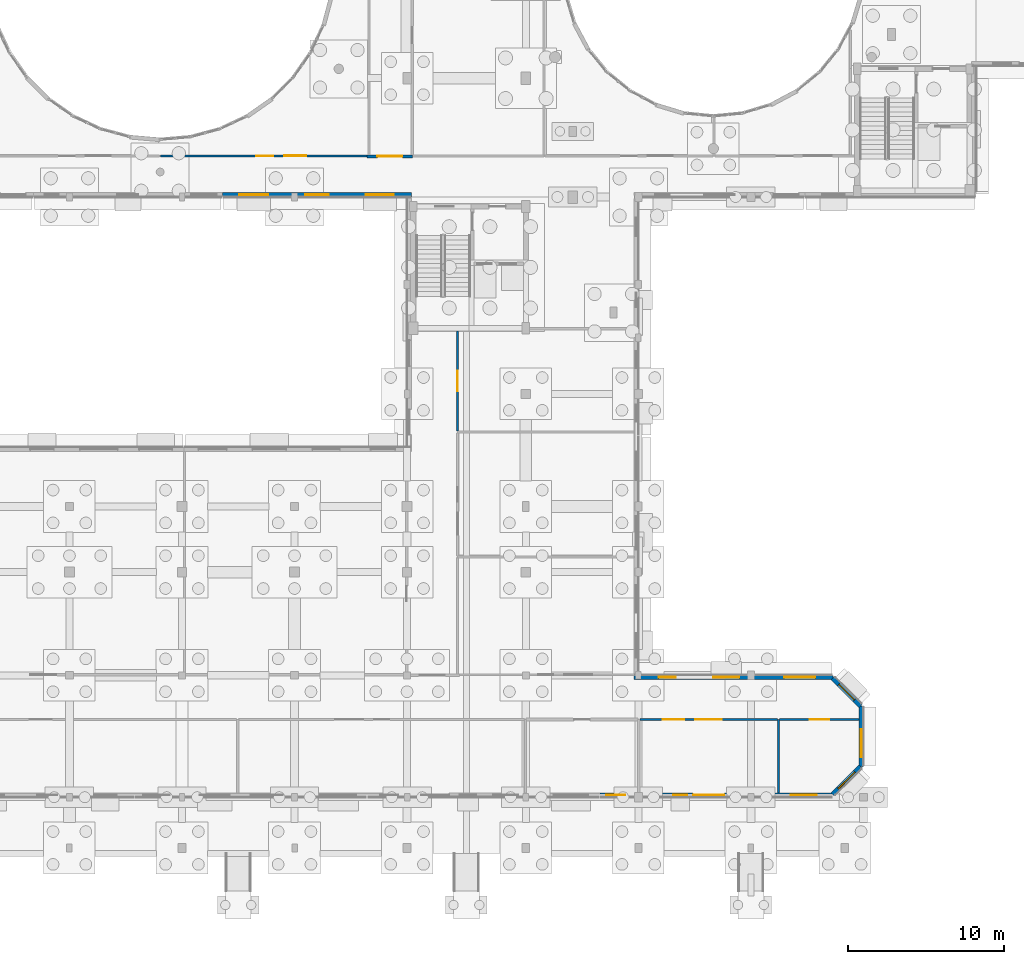
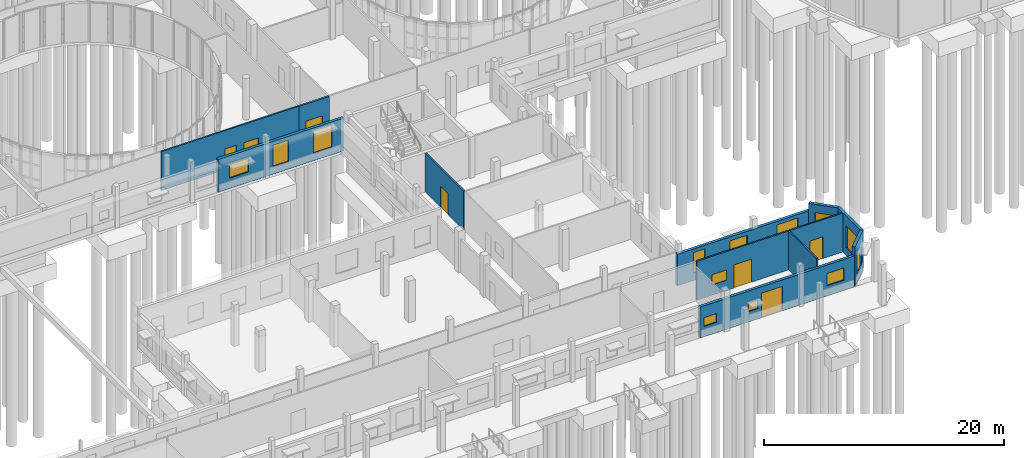
# One storey, part 66 of 93: 14 windows, 12 walls, 6 doors, 20 openings.
"""IFC4 building model written with IfcOpenShell, lengths in metres."""

from ifc_helpers import new_model, si_unit, direction, frame, frame_2d, origin, place, context, subcontext, project, spatial, rectangle, extrude, material, layer, layer_set, type_object, element, fill, save


model = new_model("IFC4")

# Units and contexts
model_context = context("Model", 3, precision=1e-05, world=origin(), true_north=direction((0.0, 1.0)))
body_context = subcontext(model_context, "Body", "Model", "MODEL_VIEW")
ifc_project = project(units=[si_unit("LENGTHUNIT", "METRE"), si_unit("AREAUNIT", "SQUARE_METRE"), si_unit("VOLUMEUNIT", "CUBIC_METRE"), si_unit("PLANEANGLEUNIT", "RADIAN"), si_unit("MASSUNIT", "GRAM", prefix="KILO")], contexts=[model_context])

# Site, building, storey
site_placement = place(None, origin())
site = spatial("IfcSite", under=ifc_project, at=site_placement, CompositionType="ELEMENT")
building_placement = place(site_placement, origin())
building = spatial("IfcBuilding", under=site, at=building_placement, Name="Kelanivale Promenade Academy", CompositionType="ELEMENT")
storey_placement = place(building_placement, origin())
storey = spatial("IfcBuildingStorey", under=building, at=storey_placement, Name="L00", CompositionType="ELEMENT", Elevation=0.0)

# Wall, opening, window
ifc_material_1 = material(Name="Insulated ivory stucco masonry wall 280 mm", Category="masonry")
ifc_layer_1 = layer(ifc_material_1, 0.280029296875)
ifc_layer_set_1 = layer_set([ifc_layer_1], Name="Insulated ivory stucco masonry wall 280 mm")
wall_type_1 = type_object("IfcWallType", Name="EW-02 Wall 280mm", PredefinedType="SOLIDWALL", material=ifc_layer_set_1)
wall_1_placement = place(storey_placement, frame((106.431884765625, 3.783935546875, 0.0), z_axis=(0.0, 0.0, 1.0), x_axis=(0.707106781187, 0.707106781187, 0.0)))
wall_1 = element("IfcWall", 1, at=wall_1_placement, inside=storey, type_object=wall_type_1, Name="L00 exterior facade wall EW-L00-ORT-0283", PredefinedType="SOLIDWALL", context=body_context, shape_type="SweptSolid", body=[
    extrude(rectangle(XDim=2.523193359375, YDim=0.280029296875, at=frame_2d((1.26171875, 0.0))), origin(), (0.0, 0.0, 1.0), 3.97998046875),
])
opening_1_placement = place(wall_1_placement, frame((0.510986328125, 0.0, 0.75)))
opening_1 = element("IfcOpeningElement", 2, at=opening_1_placement, cuts=wall_1, Name="Opening WT-11", PredefinedType="OPENING", context=body_context, shape_type="SweptSolid", body=[
    extrude(rectangle(XDim=1.5, YDim=2.199951171875, at=frame_2d((0.75, 1.10009765625))), frame((0.0, 0.14990234375, 0.0), z_axis=(0.0, -1.0, 0.0), x_axis=(1.0, 0.0, 0.0)), (0.0, 0.0, 1.0), 0.300048828125),
])
ifc_material_2 = material(Name="Bronze anodised aluminium frame with low-E laminated glass", Category="aluminium")
window_type_1 = type_object("IfcWindowType", Name="WT-11 Window 1500x2200", PartitioningType="SINGLE_PANEL", PredefinedType="WINDOW", material=ifc_material_2)
window_1_placement = place(opening_1_placement, origin())
window_1 = element("IfcWindow", 3, at=window_1_placement, inside=storey, type_object=window_type_1, Name="Window WT-11", OverallHeight=2.199951171875, OverallWidth=1.5, PartitioningType="SINGLE_PANEL", PredefinedType="WINDOW", context=body_context, shape_type="SweptSolid", body=[
    extrude(rectangle(XDim=1.5, YDim=2.199951171875, at=frame_2d((0.75, 1.10009765625))), frame((0.0, 0.030029296875, 0.0), z_axis=(0.0, -1.0, 0.0), x_axis=(1.0, 0.0, 0.0)), (0.0, 0.0, 1.0), 0.06005859375),
])
fill(opening_1, window_1)

wall_2_placement = place(storey_placement, frame((108.260009765625, 5.555908203125, 0.0), z_axis=(0.0, 0.0, 1.0), x_axis=(0.0, 1.0, 0.0)))
wall_2 = element("IfcWall", 4, at=wall_2_placement, inside=storey, type_object=wall_type_1, Name="L00 exterior facade wall EW-L00-ORT-0284", PredefinedType="SOLIDWALL", context=body_context, shape_type="SweptSolid", body=[
    extrude(rectangle(XDim=3.88818359375, YDim=0.280029296875, at=frame_2d((1.944091796875, 0.0))), origin(), (0.0, 0.0, 1.0), 3.97998046875),
])
opening_2_placement = place(wall_2_placement, frame((0.593994140625, 0.0, 0.75)))
opening_2 = element("IfcOpeningElement", 5, at=opening_2_placement, cuts=wall_2, Name="Opening WT-12", PredefinedType="OPENING", context=body_context, shape_type="SweptSolid", body=[
    extrude(rectangle(XDim=1.800048828125, YDim=2.25, at=frame_2d((0.89990234375, 1.125))), frame((0.0, 0.14990234375, 0.0), z_axis=(0.0, -1.0, 0.0), x_axis=(1.0, 0.0, 0.0)), (0.0, 0.0, 1.0), 0.300048828125),
])
window_type_2 = type_object("IfcWindowType", Name="WT-12 Window 1800x2250", PartitioningType="SINGLE_PANEL", PredefinedType="WINDOW", material=ifc_material_2)
window_2_placement = place(opening_2_placement, origin())
window_2 = element("IfcWindow", 6, at=window_2_placement, inside=storey, type_object=window_type_2, Name="Window WT-12", OverallHeight=2.25, OverallWidth=1.800048828125, PartitioningType="SINGLE_PANEL", PredefinedType="WINDOW", context=body_context, shape_type="SweptSolid", body=[
    extrude(rectangle(XDim=1.800048828125, YDim=2.25, at=frame_2d((0.89990234375, 1.125))), frame((0.0, 0.030029296875, 0.0), z_axis=(0.0, -1.0, 0.0), x_axis=(1.0, 0.0, 0.0)), (0.0, 0.0, 1.0), 0.06005859375),
])
fill(opening_2, window_2)

wall_3_placement = place(storey_placement, frame((108.216064453125, 9.431884765625, 0.0), z_axis=(0.0, 0.0, 1.0), x_axis=(-0.707106781187, 0.707106781187, 0.0)))
wall_3 = element("IfcWall", 7, at=wall_3_placement, inside=storey, type_object=wall_type_1, Name="L00 exterior facade wall EW-L00-ORT-0285", PredefinedType="SOLIDWALL", context=body_context, shape_type="SweptSolid", body=[
    extrude(rectangle(XDim=2.523193359375, YDim=0.280029296875, at=frame_2d((1.26171875, 0.0))), origin(), (0.0, 0.0, 1.0), 3.97998046875),
])
opening_3_placement = place(wall_3_placement, frame((0.56103515625, 0.0, 0.75)))
opening_3 = element("IfcOpeningElement", 8, at=opening_3_placement, cuts=wall_3, Name="Opening WT-13", PredefinedType="OPENING", context=body_context, shape_type="SweptSolid", body=[
    extrude(rectangle(XDim=1.39990234375, YDim=2.39990234375, at=frame_2d((0.699951171875, 1.199951171875))), frame((0.0, 0.14990234375, 0.0), z_axis=(0.0, -1.0, 0.0), x_axis=(1.0, 0.0, 0.0)), (0.0, 0.0, 1.0), 0.300048828125),
])
window_type_3 = type_object("IfcWindowType", Name="WT-13 Window 1400x2400", PartitioningType="SINGLE_PANEL", PredefinedType="WINDOW", material=ifc_material_2)
window_3_placement = place(opening_3_placement, origin())
window_3 = element("IfcWindow", 9, at=window_3_placement, inside=storey, type_object=window_type_3, Name="Window WT-13", OverallHeight=2.39990234375, OverallWidth=1.39990234375, PartitioningType="SINGLE_PANEL", PredefinedType="WINDOW", context=body_context, shape_type="SweptSolid", body=[
    extrude(rectangle(XDim=1.39990234375, YDim=2.39990234375, at=frame_2d((0.699951171875, 1.199951171875))), frame((0.0, 0.030029296875, 0.0), z_axis=(0.0, -1.0, 0.0), x_axis=(1.0, 0.0, 0.0)), (0.0, 0.0, 1.0), 0.06005859375),
])
fill(opening_3, window_3)

# Wall, openings, windows
wall_4_placement = place(storey_placement, frame((106.444091796875, 11.260009765625, 0.0), z_axis=(0.0, 0.0, 1.0), x_axis=(-1.0, 0.0, 0.0)))
wall_4 = element("IfcWall", 10, at=wall_4_placement, inside=storey, type_object=wall_type_1, Name="L00 exterior facade wall EW-L00-ORT-0286", PredefinedType="SOLIDWALL", context=body_context, shape_type="SweptSolid", body=[
    extrude(rectangle(XDim=12.72412109375, YDim=0.280029296875, at=frame_2d((6.362060546875, 0.0))), origin(), (0.0, 0.0, 1.0), 3.205078125),
])
opening_4_placement = place(wall_4_placement, frame((1.12109375, 0.0, 0.75)))
opening_4 = element("IfcOpeningElement", 11, at=opening_4_placement, cuts=wall_4, Name="Opening WT-14", PredefinedType="OPENING", context=body_context, shape_type="SweptSolid", body=[
    extrude(rectangle(XDim=2.0, YDim=2.10009765625, at=frame_2d((1.0, 1.050048828125))), frame((0.0, 0.14990234375, 0.0), z_axis=(0.0, -1.0, 0.0), x_axis=(1.0, 0.0, 0.0)), (0.0, 0.0, 1.0), 0.300048828125),
])
opening_5_placement = place(wall_4_placement, frame((5.987060546875, 0.0, 0.85009765625)))
opening_5 = element("IfcOpeningElement", 12, at=opening_5_placement, cuts=wall_4, Name="Opening WT-16", PredefinedType="OPENING", context=body_context, shape_type="SweptSolid", body=[
    extrude(rectangle(XDim=1.64990234375, YDim=1.949951171875, at=frame_2d((0.824951171875, 0.97509765625))), frame((0.0, 0.14990234375, 0.0), z_axis=(0.0, -1.0, 0.0), x_axis=(1.0, 0.0, 0.0)), (0.0, 0.0, 1.0), 0.300048828125),
])
opening_6_placement = place(wall_4_placement, frame((10.052978515625, 0.0, 0.75)))
opening_6 = element("IfcOpeningElement", 13, at=opening_6_placement, cuts=wall_4, Name="Opening WT-17", PredefinedType="OPENING", context=body_context, shape_type="SweptSolid", body=[
    extrude(rectangle(XDim=1.10009765625, YDim=2.10009765625, at=frame_2d((0.550048828125, 1.050048828125))), frame((0.0, 0.14990234375, 0.0), z_axis=(0.0, -1.0, 0.0), x_axis=(1.0, 0.0, 0.0)), (0.0, 0.0, 1.0), 0.300048828125),
])
window_type_4 = type_object("IfcWindowType", Name="WT-14 Window 2000x2100", PartitioningType="SINGLE_PANEL", PredefinedType="WINDOW", material=ifc_material_2)
window_4_placement = place(opening_4_placement, origin())
window_4 = element("IfcWindow", 14, at=window_4_placement, inside=storey, type_object=window_type_4, Name="Window WT-14", OverallHeight=2.10009765625, OverallWidth=2.0, PartitioningType="SINGLE_PANEL", PredefinedType="WINDOW", context=body_context, shape_type="SweptSolid", body=[
    extrude(rectangle(XDim=2.0, YDim=2.10009765625, at=frame_2d((1.0, 1.050048828125))), frame((0.0, 0.030029296875, 0.0), z_axis=(0.0, -1.0, 0.0), x_axis=(1.0, 0.0, 0.0)), (0.0, 0.0, 1.0), 0.06005859375),
])
fill(opening_4, window_4)
window_type_5 = type_object("IfcWindowType", Name="WT-16 Window 1650x1950", PartitioningType="SINGLE_PANEL", PredefinedType="WINDOW", material=ifc_material_2)
window_5_placement = place(opening_5_placement, origin())
window_5 = element("IfcWindow", 15, at=window_5_placement, inside=storey, type_object=window_type_5, Name="Window WT-16", OverallHeight=1.949951171875, OverallWidth=1.64990234375, PartitioningType="SINGLE_PANEL", PredefinedType="WINDOW", context=body_context, shape_type="SweptSolid", body=[
    extrude(rectangle(XDim=1.64990234375, YDim=1.949951171875, at=frame_2d((0.824951171875, 0.97509765625))), frame((0.0, 0.030029296875, 0.0), z_axis=(0.0, -1.0, 0.0), x_axis=(1.0, 0.0, 0.0)), (0.0, 0.0, 1.0), 0.06005859375),
])
fill(opening_5, window_5)
window_type_6 = type_object("IfcWindowType", Name="WT-17 Window 1100x2100", PartitioningType="SINGLE_PANEL", PredefinedType="WINDOW", material=ifc_material_2)
window_6_placement = place(opening_6_placement, origin())
window_6 = element("IfcWindow", 16, at=window_6_placement, inside=storey, type_object=window_type_6, Name="Window WT-17", OverallHeight=2.10009765625, OverallWidth=1.10009765625, PartitioningType="SINGLE_PANEL", PredefinedType="WINDOW", context=body_context, shape_type="SweptSolid", body=[
    extrude(rectangle(XDim=1.10009765625, YDim=2.10009765625, at=frame_2d((0.550048828125, 1.050048828125))), frame((0.0, 0.030029296875, 0.0), z_axis=(0.0, -1.0, 0.0), x_axis=(1.0, 0.0, 0.0)), (0.0, 0.0, 1.0), 0.06005859375),
])
fill(opening_6, window_6)

wall_5_placement = place(storey_placement, frame((67.386962890625, 42.139892578125, 0.0), z_axis=(0.0, 0.0, 1.0), x_axis=(1.0, 0.0, 0.0)))
wall_5 = element("IfcWall", 17, at=wall_5_placement, inside=storey, type_object=wall_type_1, Name="L00 exterior facade wall EW-L00-ORT-0321", PredefinedType="SOLIDWALL", context=body_context, shape_type="SweptSolid", body=[
    extrude(rectangle(XDim=12.093017578125, YDim=0.280029296875, at=frame_2d((6.04638671875, 0.0))), origin(), (0.0, 0.0, 1.0), 3.324951171875),
])
opening_7_placement = place(wall_5_placement, frame((1.091064453125, 0.0, 1.050048828125)))
opening_7 = element("IfcOpeningElement", 18, at=opening_7_placement, cuts=wall_5, Name="Opening WT-36", PredefinedType="OPENING", context=body_context, shape_type="SweptSolid", body=[
    extrude(rectangle(XDim=1.85009765625, YDim=1.39990234375, at=frame_2d((0.925048828125, 0.699951171875))), frame((0.0, 0.14990234375, 0.0), z_axis=(0.0, -1.0, 0.0), x_axis=(1.0, 0.0, 0.0)), (0.0, 0.0, 1.0), 0.300048828125),
])
opening_8_placement = place(wall_5_placement, frame((5.297119140625, 0.0, 0.75)))
opening_8 = element("IfcOpeningElement", 19, at=opening_8_placement, cuts=wall_5, Name="Opening WT-11", PredefinedType="OPENING", context=body_context, shape_type="SweptSolid", body=[
    extrude(rectangle(XDim=1.5, YDim=2.199951171875, at=frame_2d((0.75, 1.10009765625))), frame((0.0, 0.14990234375, 0.0), z_axis=(0.0, -1.0, 0.0), x_axis=(1.0, 0.0, 0.0)), (0.0, 0.0, 1.0), 0.300048828125),
])
opening_9_placement = place(wall_5_placement, frame((9.177978515625, 0.0, 0.75)))
opening_9 = element("IfcOpeningElement", 20, at=opening_9_placement, cuts=wall_5, Name="Opening WT-12", PredefinedType="OPENING", context=body_context, shape_type="SweptSolid", body=[
    extrude(rectangle(XDim=1.800048828125, YDim=2.25, at=frame_2d((0.89990234375, 1.125))), frame((0.0, 0.14990234375, 0.0), z_axis=(0.0, -1.0, 0.0), x_axis=(1.0, 0.0, 0.0)), (0.0, 0.0, 1.0), 0.300048828125),
])
window_7_placement = place(opening_8_placement, origin())
window_7 = element("IfcWindow", 21, at=window_7_placement, inside=storey, type_object=window_type_1, Name="Window WT-11", OverallHeight=2.199951171875, OverallWidth=1.5, PartitioningType="SINGLE_PANEL", PredefinedType="WINDOW", context=body_context, shape_type="SweptSolid", body=[
    extrude(rectangle(XDim=1.5, YDim=2.199951171875, at=frame_2d((0.75, 1.10009765625))), frame((0.0, 0.030029296875, 0.0), z_axis=(0.0, -1.0, 0.0), x_axis=(1.0, 0.0, 0.0)), (0.0, 0.0, 1.0), 0.06005859375),
])
fill(opening_8, window_7)
window_8_placement = place(opening_9_placement, origin())
window_8 = element("IfcWindow", 22, at=window_8_placement, inside=storey, type_object=window_type_2, Name="Window WT-12", OverallHeight=2.25, OverallWidth=1.800048828125, PartitioningType="SINGLE_PANEL", PredefinedType="WINDOW", context=body_context, shape_type="SweptSolid", body=[
    extrude(rectangle(XDim=1.800048828125, YDim=2.25, at=frame_2d((0.89990234375, 1.125))), frame((0.0, 0.030029296875, 0.0), z_axis=(0.0, -1.0, 0.0), x_axis=(1.0, 0.0, 0.0)), (0.0, 0.0, 1.0), 0.06005859375),
])
fill(opening_9, window_8)
window_type_7 = type_object("IfcWindowType", Name="WT-36 Window 1850x1400", PartitioningType="SINGLE_PANEL", PredefinedType="WINDOW", material=ifc_material_2)
window_9_placement = place(opening_7_placement, origin())
window_9 = element("IfcWindow", 23, at=window_9_placement, inside=storey, type_object=window_type_7, Name="Window WT-36", OverallHeight=1.39990234375, OverallWidth=1.85009765625, PartitioningType="SINGLE_PANEL", PredefinedType="WINDOW", context=body_context, shape_type="SweptSolid", body=[
    extrude(rectangle(XDim=1.85009765625, YDim=1.39990234375, at=frame_2d((0.925048828125, 0.699951171875))), frame((0.0, 0.030029296875, 0.0), z_axis=(0.0, -1.0, 0.0), x_axis=(1.0, 0.0, 0.0)), (0.0, 0.0, 1.0), 0.06005859375),
])
fill(opening_7, window_9)

# Wall, openings, door, windows
ifc_material_3 = material(Name="Insulated granite-faced masonry wall 260 mm", Category="masonry")
ifc_layer_2 = layer(ifc_material_3, 0.260009765625)
ifc_layer_set_2 = layer_set([ifc_layer_2], Name="Insulated granite-faced masonry wall 260 mm")
wall_type_2 = type_object("IfcWallType", Name="EW-03 Wall 260mm", PredefinedType="SOLIDWALL", material=ifc_layer_set_2)
wall_6_placement = place(storey_placement, frame((91.547119140625, 3.739990234375, 0.0), z_axis=(0.0, 0.0, 1.0), x_axis=(1.0, 0.0, 0.0)))
wall_6 = element("IfcWall", 24, at=wall_6_placement, inside=storey, type_object=wall_type_2, Name="L00 exterior facade wall EW-L00-ORT-0338", PredefinedType="SOLIDWALL", context=body_context, shape_type="SweptSolid", body=[
    extrude(rectangle(XDim=14.892822265625, YDim=0.260009765625, at=frame_2d((7.4462890625, 0.0))), origin(), (0.0, 0.0, 1.0), 3.155029296875),
])
opening_10_placement = place(wall_6_placement, frame((5.952880859375, 0.0, 0.0)))
opening_10 = element("IfcOpeningElement", 25, at=opening_10_placement, cuts=wall_6, Name="Opening ED-09", PredefinedType="OPENING", context=body_context, shape_type="SweptSolid", body=[
    extrude(rectangle(XDim=2.0, YDim=2.5, at=frame_2d((1.0, 1.25))), frame((0.0, 0.14013671875, 0.0), z_axis=(0.0, -1.0, 0.0), x_axis=(1.0, 0.0, 0.0)), (0.0, 0.0, 1.0), 0.280029296875),
])
opening_11_placement = place(wall_6_placement, frame((0.412109375, 0.0, 1.050048828125)))
opening_11 = element("IfcOpeningElement", 26, at=opening_11_placement, cuts=wall_6, Name="Opening WT-09", PredefinedType="OPENING", context=body_context, shape_type="SweptSolid", body=[
    extrude(rectangle(XDim=1.199951171875, YDim=0.89990234375, at=frame_2d((0.60009765625, 0.449951171875))), frame((0.0, 0.14013671875, 0.0), z_axis=(0.0, -1.0, 0.0), x_axis=(1.0, 0.0, 0.0)), (0.0, 0.0, 1.0), 0.280029296875),
])
opening_12_placement = place(wall_6_placement, frame((4.68505859375, 0.0, 1.050048828125)))
opening_12 = element("IfcOpeningElement", 27, at=opening_12_placement, cuts=wall_6, Name="Opening WT-10", PredefinedType="OPENING", context=body_context, shape_type="SweptSolid", body=[
    extrude(rectangle(XDim=0.89990234375, YDim=0.89990234375, at=frame_2d((0.449951171875, 0.449951171875))), frame((0.0, 0.14013671875, 0.0), z_axis=(0.0, -1.0, 0.0), x_axis=(1.0, 0.0, 0.0)), (0.0, 0.0, 1.0), 0.280029296875),
])
opening_13_placement = place(wall_6_placement, frame((12.2060546875, 0.0, 1.050048828125)))
opening_13 = element("IfcOpeningElement", 28, at=opening_13_placement, cuts=wall_6, Name="Opening WT-35", PredefinedType="OPENING", context=body_context, shape_type="SweptSolid", body=[
    extrude(rectangle(XDim=1.64990234375, YDim=1.25, at=frame_2d((0.824951171875, 0.625))), frame((0.0, 0.14013671875, 0.0), z_axis=(0.0, -1.0, 0.0), x_axis=(1.0, 0.0, 0.0)), (0.0, 0.0, 1.0), 0.280029296875),
])
ifc_material_4 = material(Name="Bronze anodised aluminium and laminated glass", Category="aluminium")
door_type_1 = type_object("IfcDoorType", Name="DT-X04 Door 2000x2500", OperationType="NOTDEFINED", PredefinedType="DOOR", material=ifc_material_4)
door_1_placement = place(opening_10_placement, frame((2.0, 0.0, 0.0), z_axis=(0.0, 0.0, 1.0), x_axis=(-1.0, 0.0, 0.0)))
door_1 = element("IfcDoor", 29, at=door_1_placement, inside=storey, type_object=door_type_1, Name="Harbour Community Cafe final exit door ED-09", OperationType="DOUBLE_DOOR_SINGLE_SWING", OverallHeight=2.5, OverallWidth=2.0, PredefinedType="DOOR", context=body_context, shape_type="SweptSolid", body=[
    extrude(rectangle(XDim=2.0, YDim=2.5, at=frame_2d((1.0, 1.25))), frame((0.0, 0.02490234375, 0.0), z_axis=(0.0, -1.0, 0.0), x_axis=(1.0, 0.0, 0.0)), (0.0, 0.0, 1.0), 0.050048828125),
])
fill(opening_10, door_1)
window_type_8 = type_object("IfcWindowType", Name="WT-09 Window 1200x900", PartitioningType="SINGLE_PANEL", PredefinedType="WINDOW", material=ifc_material_2)
window_10_placement = place(opening_11_placement, origin())
window_10 = element("IfcWindow", 30, at=window_10_placement, inside=storey, type_object=window_type_8, Name="Window WT-09", OverallHeight=0.89990234375, OverallWidth=1.199951171875, PartitioningType="SINGLE_PANEL", PredefinedType="WINDOW", context=body_context, shape_type="SweptSolid", body=[
    extrude(rectangle(XDim=1.199951171875, YDim=0.89990234375, at=frame_2d((0.60009765625, 0.449951171875))), frame((0.0, 0.030029296875, 0.0), z_axis=(0.0, -1.0, 0.0), x_axis=(1.0, 0.0, 0.0)), (0.0, 0.0, 1.0), 0.06005859375),
])
fill(opening_11, window_10)
window_type_9 = type_object("IfcWindowType", Name="WT-10 Window 900x900", PartitioningType="SINGLE_PANEL", PredefinedType="WINDOW", material=ifc_material_2)
window_11_placement = place(opening_12_placement, origin())
window_11 = element("IfcWindow", 31, at=window_11_placement, inside=storey, type_object=window_type_9, Name="Window WT-10", OverallHeight=0.89990234375, OverallWidth=0.89990234375, PartitioningType="SINGLE_PANEL", PredefinedType="WINDOW", context=body_context, shape_type="SweptSolid", body=[
    extrude(rectangle(XDim=0.89990234375, YDim=0.89990234375, at=frame_2d((0.449951171875, 0.449951171875))), frame((0.0, 0.030029296875, 0.0), z_axis=(0.0, -1.0, 0.0), x_axis=(1.0, 0.0, 0.0)), (0.0, 0.0, 1.0), 0.06005859375),
])
fill(opening_12, window_11)
window_type_10 = type_object("IfcWindowType", Name="WT-35 Window 1650x1250", PartitioningType="SINGLE_PANEL", PredefinedType="WINDOW", material=ifc_material_2)
window_12_placement = place(opening_13_placement, origin())
window_12 = element("IfcWindow", 32, at=window_12_placement, inside=storey, type_object=window_type_10, Name="Window WT-35", OverallHeight=1.25, OverallWidth=1.64990234375, PartitioningType="SINGLE_PANEL", PredefinedType="WINDOW", context=body_context, shape_type="SweptSolid", body=[
    extrude(rectangle(XDim=1.64990234375, YDim=1.25, at=frame_2d((0.824951171875, 0.625))), frame((0.0, 0.030029296875, 0.0), z_axis=(0.0, -1.0, 0.0), x_axis=(1.0, 0.0, 0.0)), (0.0, 0.0, 1.0), 0.06005859375),
])
fill(opening_13, window_12)

# Wall, opening, door
ifc_material_5 = material(Name="Autoclaved masonry blockwork 180 mm", Category="masonry")
ifc_layer_3 = layer(ifc_material_5, 0.179931640625)
ifc_layer_set_3 = layer_set([ifc_layer_3], Name="Autoclaved masonry blockwork 180 mm")
wall_type_3 = type_object("IfcWallType", Name="IW-02 Wall 180mm", PredefinedType="PARTITIONING", material=ifc_layer_set_3)
wall_7_placement = place(storey_placement, frame((76.64990234375, 44.60009765625, 0.0), z_axis=(0.0, 0.0, 1.0), x_axis=(1.0, 0.0, 0.0)))
wall_7 = element("IfcWall", 33, at=wall_7_placement, inside=storey, type_object=wall_type_3, Name="L00 cross-corridor fire wall", PredefinedType="PARTITIONING", context=body_context, shape_type="SweptSolid", body=[
    extrude(rectangle(XDim=2.900146484375, YDim=0.179931640625, at=frame_2d((1.4501953125, 0.0))), origin(), (0.0, 0.0, 1.0), 3.97998046875),
])
opening_14_placement = place(wall_7_placement, frame((0.64990234375, 0.0, 0.0)))
opening_14 = element("IfcOpeningElement", 34, at=opening_14_placement, cuts=wall_7, Name="Opening FD-L00-CC-004", PredefinedType="OPENING", context=body_context, shape_type="SweptSolid", body=[
    extrude(rectangle(XDim=1.60009765625, YDim=2.25, at=frame_2d((0.800048828125, 1.125))), frame((0.0, 0.10009765625, 0.0), z_axis=(0.0, -1.0, 0.0), x_axis=(1.0, 0.0, 0.0)), (0.0, 0.0, 1.0), 0.199951171875),
])
ifc_material_6 = material(Name="Fire-rated steel-core teak veneer", Category="steel")
door_type_2 = type_object("IfcDoorType", Name="DT-F09 Door 1600x2250", OperationType="NOTDEFINED", PredefinedType="DOOR", material=ifc_material_6)
door_2_placement = place(opening_14_placement, origin())
door_2 = element("IfcDoor", 35, at=door_2_placement, inside=storey, type_object=door_type_2, Name="L00 cross-corridor fire door FD-L00-CC-004", OperationType="DOUBLE_DOOR_SINGLE_SWING", OverallHeight=2.25, OverallWidth=1.60009765625, PredefinedType="DOOR", context=body_context, shape_type="SweptSolid", body=[
    extrude(rectangle(XDim=1.60009765625, YDim=2.25, at=frame_2d((0.800048828125, 1.125))), frame((0.0, 0.02490234375, 0.0), z_axis=(0.0, -1.0, 0.0), x_axis=(1.0, 0.0, 0.0)), (0.0, 0.0, 1.0), 0.050048828125),
])
fill(opening_14, door_2)

ifc_material_7 = material(Name="Acoustic gypsum-lined masonry partition 150 mm", Category="masonry")
ifc_layer_4 = layer(ifc_material_7, 0.14990234375)
ifc_layer_set_4 = layer_set([ifc_layer_4], Name="Acoustic gypsum-lined masonry partition 150 mm")
wall_type_4 = type_object("IfcWallType", Name="IW-03 Wall 150mm", PredefinedType="PARTITIONING", material=ifc_layer_set_4)
wall_8_placement = place(storey_placement, frame((82.429931640625, 33.43701171875, 0.0), z_axis=(0.0, 0.0, 1.0), x_axis=(0.0, -1.0, 0.0)))
wall_8 = element("IfcWall", 36, at=wall_8_placement, inside=storey, type_object=wall_type_4, Name="L00 partition Central Electrical Plant Room", PredefinedType="PARTITIONING", context=body_context, shape_type="SweptSolid", body=[
    extrude(rectangle(XDim=6.4111328125, YDim=0.14990234375, at=frame_2d((3.20556640625, 0.0))), origin(), (0.0, 0.0, 1.0), 3.97509765625),
])
opening_15_placement = place(wall_8_placement, frame((2.554931640625, 0.0, 0.0)))
opening_15 = element("IfcOpeningElement", 37, at=opening_15_placement, cuts=wall_8, Name="Opening ID-L00-032", PredefinedType="OPENING", context=body_context, shape_type="SweptSolid", body=[
    extrude(rectangle(XDim=1.300048828125, YDim=2.14990234375, at=frame_2d((0.64990234375, 1.074951171875))), frame((0.0, 0.0849609375, 0.0), z_axis=(0.0, -1.0, 0.0), x_axis=(1.0, 0.0, 0.0)), (0.0, 0.0, 1.0), 0.169921875),
])
door_type_3 = type_object("IfcDoorType", Name="DT-F10 Door 1300x2150", OperationType="NOTDEFINED", PredefinedType="DOOR", material=ifc_material_6)
door_3_placement = place(opening_15_placement, origin())
door_3 = element("IfcDoor", 38, at=door_3_placement, inside=storey, type_object=door_type_3, Name="Central Electrical Plant Room door ID-L00-032", OperationType="DOUBLE_DOOR_SINGLE_SWING", OverallHeight=2.14990234375, OverallWidth=1.300048828125, PredefinedType="DOOR", context=body_context, shape_type="SweptSolid", body=[
    extrude(rectangle(XDim=1.300048828125, YDim=2.14990234375, at=frame_2d((0.64990234375, 1.074951171875))), frame((0.0, 0.02490234375, 0.0), z_axis=(0.0, -1.0, 0.0), x_axis=(1.0, 0.0, 0.0)), (0.0, 0.0, 1.0), 0.050048828125),
])
fill(opening_15, door_3)

# Wall
ifc_material_8 = material(Name="Acoustic double-stud gypsum board partition 140 mm", Category="masonry")
ifc_layer_5 = layer(ifc_material_8, 0.139892578125)
ifc_layer_set_5 = layer_set([ifc_layer_5], Name="Acoustic double-stud gypsum board partition 140 mm")
wall_type_5 = type_object("IfcWallType", Name="IW-04 Wall 140mm", PredefinedType="PARTITIONING", material=ifc_layer_set_5)
wall_9_placement = place(storey_placement, frame((102.969970703125, 3.867919921875, 0.0), z_axis=(0.0, 0.0, 1.0), x_axis=(0.0, 1.0, 0.0)))
element("IfcWall", 39, at=wall_9_placement, inside=storey, type_object=wall_type_5, Name="L00 partition Harbour Community Cafe", PredefinedType="PARTITIONING", context=body_context, shape_type="SweptSolid", body=[
    extrude(rectangle(XDim=4.7021484375, YDim=0.139892578125, at=frame_2d((2.35107421875, 0.0))), origin(), (0.0, 0.0, 1.0), 3.955078125),
])

# Wall, openings, door, window
wall_10_placement = place(storey_placement, frame((102.902099609375, 8.570068359375, 0.0), z_axis=(0.0, 0.0, 1.0), x_axis=(-1.0, 0.0, 0.0)))
wall_10 = element("IfcWall", 40, at=wall_10_placement, inside=storey, type_object=wall_type_5, Name="L00 partition Harbour Community Cafe", PredefinedType="PARTITIONING", context=body_context, shape_type="SweptSolid", body=[
    extrude(rectangle(XDim=8.80419921875, YDim=0.139892578125, at=frame_2d((4.402099609375, 0.0))), origin(), (0.0, 0.0, 1.0), 3.955078125),
])
opening_16_placement = place(wall_10_placement, frame((3.552001953125, 0.0, 0.0)))
opening_16 = element("IfcOpeningElement", 41, at=opening_16_placement, cuts=wall_10, Name="Opening ID-L00-025", PredefinedType="OPENING", context=body_context, shape_type="SweptSolid", body=[
    extrude(rectangle(XDim=1.699951171875, YDim=2.35009765625, at=frame_2d((0.85009765625, 1.175048828125))), frame((0.0, 0.080078125, 0.0), z_axis=(0.0, -1.0, 0.0), x_axis=(1.0, 0.0, 0.0)), (0.0, 0.0, 1.0), 0.159912109375),
])
opening_17_placement = place(wall_10_placement, frame((5.951904296875, 0.0, 1.050048828125)))
opening_17 = element("IfcOpeningElement", 42, at=opening_17_placement, cuts=wall_10, Name="Opening WT-I03", PredefinedType="OPENING", context=body_context, shape_type="SweptSolid", body=[
    extrude(rectangle(XDim=1.39990234375, YDim=1.050048828125, at=frame_2d((0.699951171875, 0.52490234375))), frame((0.0, 0.080078125, 0.0), z_axis=(0.0, -1.0, 0.0), x_axis=(1.0, 0.0, 0.0)), (0.0, 0.0, 1.0), 0.159912109375),
])
ifc_material_9 = material(Name="Solid-core tropical teak timber", Category="wood")
door_type_4 = type_object("IfcDoorType", Name="DT-I11 Door 1700x2350", OperationType="NOTDEFINED", PredefinedType="DOOR", material=ifc_material_9)
door_4_placement = place(opening_16_placement, origin())
door_4 = element("IfcDoor", 43, at=door_4_placement, inside=storey, type_object=door_type_4, Name="Harbour Community Cafe door ID-L00-025", OperationType="DOUBLE_DOOR_SINGLE_SWING", OverallHeight=2.35009765625, OverallWidth=1.699951171875, PredefinedType="DOOR", context=body_context, shape_type="SweptSolid", body=[
    extrude(rectangle(XDim=1.699951171875, YDim=2.35009765625, at=frame_2d((0.85009765625, 1.175048828125))), frame((0.0, 0.02490234375, 0.0), z_axis=(0.0, -1.0, 0.0), x_axis=(1.0, 0.0, 0.0)), (0.0, 0.0, 1.0), 0.050048828125),
])
fill(opening_16, door_4)
window_type_11 = type_object("IfcWindowType", Name="WT-I03 Window 1400x1050", PartitioningType="SINGLE_PANEL", PredefinedType="WINDOW", material=ifc_material_2)
window_13_placement = place(opening_17_placement, origin())
window_13 = element("IfcWindow", 44, at=window_13_placement, inside=storey, type_object=window_type_11, Name="Interior observation window WT-I03", OverallHeight=1.050048828125, OverallWidth=1.39990234375, PartitioningType="SINGLE_PANEL", PredefinedType="WINDOW", context=body_context, shape_type="SweptSolid", body=[
    extrude(rectangle(XDim=1.39990234375, YDim=1.050048828125, at=frame_2d((0.699951171875, 0.52490234375))), frame((0.0, 0.030029296875, 0.0), z_axis=(0.0, -1.0, 0.0), x_axis=(1.0, 0.0, 0.0)), (0.0, 0.0, 1.0), 0.06005859375),
])
fill(opening_17, window_13)

# Wall, opening, door
wall_11_placement = place(storey_placement, frame((108.1220703125, 8.570068359375, 0.0), z_axis=(0.0, 0.0, 1.0), x_axis=(-1.0, 0.0, 0.0)))
wall_11 = element("IfcWall", 45, at=wall_11_placement, inside=storey, type_object=wall_type_5, Name="L00 partition Uniform and Book Shop", PredefinedType="PARTITIONING", context=body_context, shape_type="SweptSolid", body=[
    extrude(rectangle(XDim=5.083984375, YDim=0.139892578125, at=frame_2d((2.5419921875, 0.0))), origin(), (0.0, 0.0, 1.0), 3.955078125),
])
opening_18_placement = place(wall_11_placement, frame((1.9169921875, 0.0, 0.0)))
opening_18 = element("IfcOpeningElement", 46, at=opening_18_placement, cuts=wall_11, Name="Opening ID-L00-026", PredefinedType="OPENING", context=body_context, shape_type="SweptSolid", body=[
    extrude(rectangle(XDim=1.25, YDim=2.219970703125, at=frame_2d((0.625, 1.10986328125))), frame((0.0, 0.080078125, 0.0), z_axis=(0.0, -1.0, 0.0), x_axis=(1.0, 0.0, 0.0)), (0.0, 0.0, 1.0), 0.159912109375),
])
door_type_5 = type_object("IfcDoorType", Name="DT-I19 Door 1250x2220", OperationType="NOTDEFINED", PredefinedType="DOOR", material=ifc_material_9)
door_5_placement = place(opening_18_placement, origin())
door_5 = element("IfcDoor", 47, at=door_5_placement, inside=storey, type_object=door_type_5, Name="Uniform and Book Shop door ID-L00-026", OperationType="SINGLE_SWING_RIGHT", OverallHeight=2.219970703125, OverallWidth=1.25, PredefinedType="DOOR", context=body_context, shape_type="SweptSolid", body=[
    extrude(rectangle(XDim=1.25, YDim=2.219970703125, at=frame_2d((0.625, 1.10986328125))), frame((0.0, 0.02490234375, 0.0), z_axis=(0.0, -1.0, 0.0), x_axis=(1.0, 0.0, 0.0)), (0.0, 0.0, 1.0), 0.050048828125),
])
fill(opening_18, door_5)

# Wall, openings, door, window
wall_12_placement = place(storey_placement, frame((63.429931640625, 44.6298828125, 0.0), z_axis=(0.0, 0.0, 1.0), x_axis=(1.0, 0.0, 0.0)))
wall_12 = element("IfcWall", 48, at=wall_12_placement, inside=storey, type_object=wall_type_5, Name="L00 partition Humanities Seminar Courtyard South", PredefinedType="PARTITIONING", context=body_context, shape_type="SweptSolid", body=[
    extrude(rectangle(XDim=13.340087890625, YDim=0.139892578125, at=frame_2d((6.669921875, 0.0))), origin(), (0.0, 0.0, 1.0), 3.97509765625),
])
opening_19_placement = place(wall_12_placement, frame((6.1201171875, 0.0, 0.0)))
opening_19 = element("IfcOpeningElement", 49, at=opening_19_placement, cuts=wall_12, Name="Opening ID-L00-037", PredefinedType="OPENING", context=body_context, shape_type="SweptSolid", body=[
    extrude(rectangle(XDim=1.10009765625, YDim=2.10009765625, at=frame_2d((0.550048828125, 1.050048828125))), frame((0.0, 0.080078125, 0.0), z_axis=(0.0, -1.0, 0.0), x_axis=(1.0, 0.0, 0.0)), (0.0, 0.0, 1.0), 0.159912109375),
])
opening_20_placement = place(wall_12_placement, frame((7.919921875, 0.0, 1.050048828125)))
opening_20 = element("IfcOpeningElement", 50, at=opening_20_placement, cuts=wall_12, Name="Opening WT-I03", PredefinedType="OPENING", context=body_context, shape_type="SweptSolid", body=[
    extrude(rectangle(XDim=1.39990234375, YDim=1.050048828125, at=frame_2d((0.699951171875, 0.52490234375))), frame((0.0, 0.080078125, 0.0), z_axis=(0.0, -1.0, 0.0), x_axis=(1.0, 0.0, 0.0)), (0.0, 0.0, 1.0), 0.159912109375),
])
door_type_6 = type_object("IfcDoorType", Name="DT-I03 Door 1100x2100", OperationType="NOTDEFINED", PredefinedType="DOOR", material=ifc_material_9)
door_6_placement = place(opening_19_placement, origin())
door_6 = element("IfcDoor", 51, at=door_6_placement, inside=storey, type_object=door_type_6, Name="Humanities Seminar Courtyard South door ID-L00-037", OperationType="SINGLE_SWING_RIGHT", OverallHeight=2.10009765625, OverallWidth=1.10009765625, PredefinedType="DOOR", context=body_context, shape_type="SweptSolid", body=[
    extrude(rectangle(XDim=1.10009765625, YDim=2.10009765625, at=frame_2d((0.550048828125, 1.050048828125))), frame((0.0, 0.02490234375, 0.0), z_axis=(0.0, -1.0, 0.0), x_axis=(1.0, 0.0, 0.0)), (0.0, 0.0, 1.0), 0.050048828125),
])
fill(opening_19, door_6)
window_14_placement = place(opening_20_placement, origin())
window_14 = element("IfcWindow", 52, at=window_14_placement, inside=storey, type_object=window_type_11, Name="Interior observation window WT-I03", OverallHeight=1.050048828125, OverallWidth=1.39990234375, PartitioningType="SINGLE_PANEL", PredefinedType="WINDOW", context=body_context, shape_type="SweptSolid", body=[
    extrude(rectangle(XDim=1.39990234375, YDim=1.050048828125, at=frame_2d((0.699951171875, 0.52490234375))), frame((0.0, 0.030029296875, 0.0), z_axis=(0.0, -1.0, 0.0), x_axis=(1.0, 0.0, 0.0)), (0.0, 0.0, 1.0), 0.06005859375),
])
fill(opening_20, window_14)

save(model, "model.ifc")
